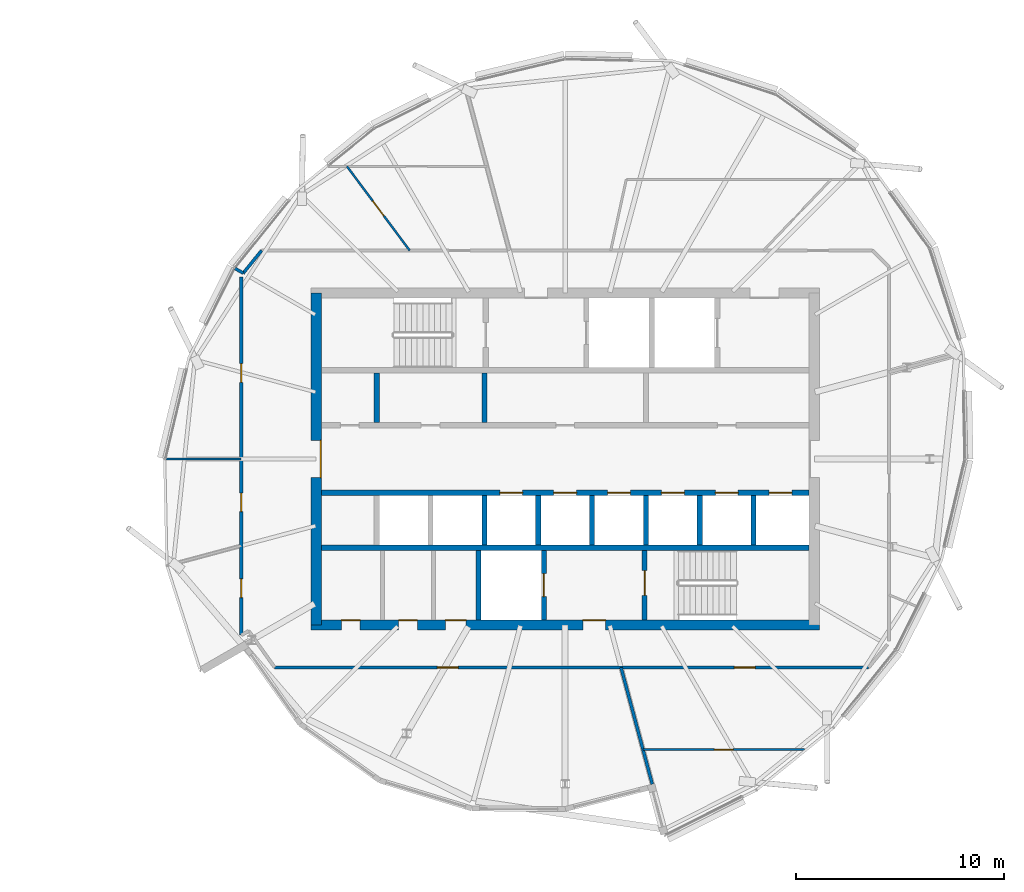
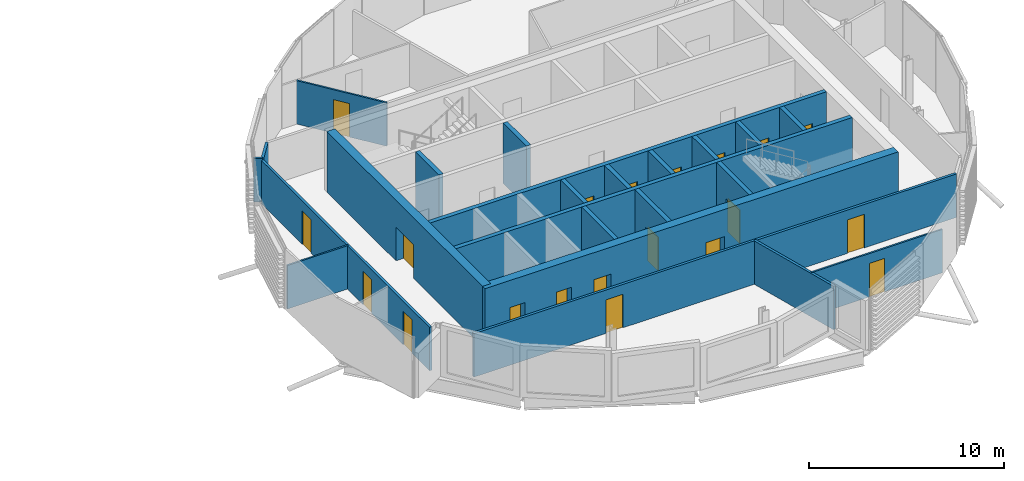
# One storey, part 20 of 33: 23 walls, 20 doors, 20 openings.
"""IFC4 building model written with IfcOpenShell, lengths in metres."""

from ifc_helpers import new_model, si_unit, direction, frame, frame_2d, origin, place, context, subcontext, project, spatial, rectangle, extrude, material, layer, layer_set, type_object, element, fill, save


model = new_model("IFC4")

# Units and contexts
model_context = context("Model", 3, precision=1e-05, world=origin(), true_north=direction((0.0, 1.0)))
body_context = subcontext(model_context, "Body", "Model", "MODEL_VIEW")
ifc_project = project(units=[si_unit("LENGTHUNIT", "METRE"), si_unit("AREAUNIT", "SQUARE_METRE"), si_unit("VOLUMEUNIT", "CUBIC_METRE"), si_unit("PLANEANGLEUNIT", "RADIAN"), si_unit("MASSUNIT", "GRAM", prefix="KILO")], contexts=[model_context])

# Site, building, storey
site_placement = place(None, origin())
site = spatial("IfcSite", under=ifc_project, at=site_placement, CompositionType="ELEMENT")
building_placement = place(site_placement, origin())
building = spatial("IfcBuilding", under=site, at=building_placement, Name="Rimbun Link Towers", CompositionType="ELEMENT")
storey_placement = place(building_placement, frame((0.0, 0.0, 240.89990234375)))
storey = spatial("IfcBuildingStorey", under=building, at=storey_placement, Name="L59", CompositionType="ELEMENT", Elevation=240.89990234375)

# Wall, openings, doors
ifc_material_1 = material(Name="Concrete C60/75", Category="concrete")
ifc_layer_1 = layer(ifc_material_1, 0.5)
ifc_layer_set_1 = layer_set([ifc_layer_1], Name="Core shear wall 500")
wall_type_1 = type_object("IfcWallType", Name="Core shear wall 500", PredefinedType="SHEAR", material=ifc_layer_set_1)
wall_1_placement = place(storey_placement, frame((19.5, -8.0, 0.0), z_axis=(0.0, 0.0, 1.0), x_axis=(1.0, 0.0, 0.0)))
wall_1 = element("IfcWall", 1, at=wall_1_placement, inside=storey, type_object=wall_type_1, Name="L59 T2 core wall S", PredefinedType="SHEAR", context=body_context, shape_type="SweptSolid", body=[
    extrude(rectangle(XDim=24.5, YDim=0.5, at=frame_2d((12.25, 0.0))), origin(), (0.0, 0.0, 1.0), 3.800048828125),
])
opening_1_placement = place(wall_1_placement, frame((13.10009765625, 0.0, 0.0)))
opening_1 = element("IfcOpeningElement", 2, at=opening_1_placement, cuts=wall_1, Name="Opening C2DCF01S", PredefinedType="OPENING", context=body_context, shape_type="SweptSolid", body=[
    extrude(rectangle(XDim=1.10009765625, YDim=2.10009765625, at=frame_2d((0.550048828125, 1.050048828125))), frame((0.0, 0.260009765625, 0.0), z_axis=(0.0, -1.0, 0.0), x_axis=(1.0, 0.0, 0.0)), (0.0, 0.0, 1.0), 0.52001953125),
])
opening_2_placement = place(wall_1_placement, frame((1.47509765625, 0.0, 0.0)))
opening_2 = element("IfcOpeningElement", 3, at=opening_2_placement, cuts=wall_1, Name="Opening C2DWC02S", PredefinedType="OPENING", context=body_context, shape_type="SweptSolid", body=[
    extrude(rectangle(XDim=0.89990234375, YDim=2.10009765625, at=frame_2d((0.449951171875, 1.050048828125))), frame((0.0, 0.260009765625, 0.0), z_axis=(0.0, -1.0, 0.0), x_axis=(1.0, 0.0, 0.0)), (0.0, 0.0, 1.0), 0.52001953125),
])
opening_3_placement = place(wall_1_placement, frame((4.22509765625, 0.0, 0.0)))
opening_3 = element("IfcOpeningElement", 4, at=opening_3_placement, cuts=wall_1, Name="Opening C2DWC03S", PredefinedType="OPENING", context=body_context, shape_type="SweptSolid", body=[
    extrude(rectangle(XDim=0.89990234375, YDim=2.10009765625, at=frame_2d((0.449951171875, 1.050048828125))), frame((0.0, 0.260009765625, 0.0), z_axis=(0.0, -1.0, 0.0), x_axis=(1.0, 0.0, 0.0)), (0.0, 0.0, 1.0), 0.52001953125),
])
opening_4_placement = place(wall_1_placement, frame((6.47509765625, 0.0, 0.0)))
opening_4 = element("IfcOpeningElement", 5, at=opening_4_placement, cuts=wall_1, Name="Opening C2DAW04S", PredefinedType="OPENING", context=body_context, shape_type="SweptSolid", body=[
    extrude(rectangle(XDim=1.0, YDim=2.10009765625, at=frame_2d((0.5, 1.050048828125))), frame((0.0, 0.260009765625, 0.0), z_axis=(0.0, -1.0, 0.0), x_axis=(1.0, 0.0, 0.0)), (0.0, 0.0, 1.0), 0.52001953125),
])
ifc_material_2 = material(Name="Timber", Category="wood")
door_type_1 = type_object("IfcDoorType", Name="Accessible WC door", OperationType="SINGLE_SWING_LEFT", PredefinedType="DOOR", material=ifc_material_2)
door_1_placement = place(opening_4_placement, origin())
door_1 = element("IfcDoor", 6, at=door_1_placement, inside=storey, type_object=door_type_1, Name="L59 T2 accessible wc door", OperationType="SINGLE_SWING_RIGHT", OverallHeight=2.10009765625, OverallWidth=1.0, PredefinedType="DOOR", context=body_context, shape_type="SweptSolid", body=[
    extrude(rectangle(XDim=1.0, YDim=2.10009765625, at=frame_2d((0.5, 1.050048828125))), frame((0.0, 0.25, 0.0), z_axis=(0.0, -1.0, 0.0), x_axis=(1.0, 0.0, 0.0)), (0.0, 0.0, 1.0), 0.050048828125),
])
fill(opening_4, door_1)
ifc_material_3 = material(Name="Steel fire door set", Category="steel")
door_type_2 = type_object("IfcDoorType", Name="Core fire door single", OperationType="SINGLE_SWING_LEFT", PredefinedType="DOOR", material=ifc_material_3)
door_2_placement = place(opening_1_placement, origin())
door_2 = element("IfcDoor", 7, at=door_2_placement, inside=storey, type_object=door_type_2, Name="L59 T2 firefighting lobby s door", OperationType="SINGLE_SWING_RIGHT", OverallHeight=2.10009765625, OverallWidth=1.10009765625, PredefinedType="DOOR", context=body_context, shape_type="SweptSolid", body=[
    extrude(rectangle(XDim=1.10009765625, YDim=2.10009765625, at=frame_2d((0.550048828125, 1.050048828125))), frame((0.0, 0.25, 0.0), z_axis=(0.0, -1.0, 0.0), x_axis=(1.0, 0.0, 0.0)), (0.0, 0.0, 1.0), 0.050048828125),
])
fill(opening_1, door_2)
ifc_material_4 = material(Name="Timber", Category="wood")
door_type_3 = type_object("IfcDoorType", Name="WC door", OperationType="SINGLE_SWING_LEFT", PredefinedType="DOOR", material=ifc_material_4)
door_3_placement = place(opening_2_placement, origin())
door_3 = element("IfcDoor", 8, at=door_3_placement, inside=storey, type_object=door_type_3, Name="L59 T2 male wc door", OperationType="SINGLE_SWING_LEFT", OverallHeight=2.10009765625, OverallWidth=0.89990234375, PredefinedType="DOOR", context=body_context, shape_type="SweptSolid", body=[
    extrude(rectangle(XDim=0.89990234375, YDim=2.10009765625, at=frame_2d((0.449951171875, 1.050048828125))), frame((0.0, 0.25, 0.0), z_axis=(0.0, -1.0, 0.0), x_axis=(1.0, 0.0, 0.0)), (0.0, 0.0, 1.0), 0.050048828125),
])
fill(opening_2, door_3)
door_4_placement = place(opening_3_placement, origin())
door_4 = element("IfcDoor", 9, at=door_4_placement, inside=storey, type_object=door_type_3, Name="L59 T2 female wc door", OperationType="SINGLE_SWING_RIGHT", OverallHeight=2.10009765625, OverallWidth=0.89990234375, PredefinedType="DOOR", context=body_context, shape_type="SweptSolid", body=[
    extrude(rectangle(XDim=0.89990234375, YDim=2.10009765625, at=frame_2d((0.449951171875, 1.050048828125))), frame((0.0, 0.25, 0.0), z_axis=(0.0, -1.0, 0.0), x_axis=(1.0, 0.0, 0.0)), (0.0, 0.0, 1.0), 0.050048828125),
])
fill(opening_3, door_4)

# Wall, opening, door
wall_2_placement = place(storey_placement, frame((19.75, -8.0, 0.0), z_axis=(0.0, 0.0, 1.0), x_axis=(0.0, 1.0, 0.0)))
wall_2 = element("IfcWall", 10, at=wall_2_placement, inside=storey, type_object=wall_type_1, Name="L59 T2 core wall W", PredefinedType="SHEAR", context=body_context, shape_type="SweptSolid", body=[
    extrude(rectangle(XDim=16.0, YDim=0.5, at=frame_2d((8.0, 0.0))), origin(), (0.0, 0.0, 1.0), 3.800048828125),
])
opening_5_placement = place(wall_2_placement, frame((7.10009765625, 0.0, 0.0)))
opening_5 = element("IfcOpeningElement", 11, at=opening_5_placement, cuts=wall_2, Name="Opening C2DCL01W", PredefinedType="OPENING", context=body_context, shape_type="SweptSolid", body=[
    extrude(rectangle(XDim=1.800048828125, YDim=2.10009765625, at=frame_2d((0.89990234375, 1.050048828125))), frame((0.0, 0.260009765625, 0.0), z_axis=(0.0, -1.0, 0.0), x_axis=(1.0, 0.0, 0.0)), (0.0, 0.0, 1.0), 0.52001953125),
])
ifc_material_5 = material(Name="Steel fire door set", Category="steel")
door_type_4 = type_object("IfcDoorType", Name="Core lobby door double", OperationType="DOUBLE_DOOR_SINGLE_SWING", PredefinedType="DOOR", material=ifc_material_5)
door_5_placement = place(opening_5_placement, origin())
door_5 = element("IfcDoor", 12, at=door_5_placement, inside=storey, type_object=door_type_4, Name="L59 T2 lift lobby door", OperationType="DOUBLE_DOOR_SINGLE_SWING", OverallHeight=2.10009765625, OverallWidth=1.800048828125, PredefinedType="DOOR", context=body_context, shape_type="SweptSolid", body=[
    extrude(rectangle(XDim=1.800048828125, YDim=2.10009765625, at=frame_2d((0.89990234375, 1.050048828125))), frame((0.0, -0.2001953125, 0.0), z_axis=(0.0, -1.0, 0.0), x_axis=(1.0, 0.0, 0.0)), (0.0, 0.0, 1.0), 0.050048828125),
])
fill(opening_5, door_5)

# Wall, openings, doors
ifc_material_6 = material(Name="Plasterboard on steel stud, mineral wool", Category="steel")
ifc_layer_2 = layer(ifc_material_6, 0.14990234375)
ifc_layer_set_2 = layer_set([ifc_layer_2], Name="Corridor wall EI 30 150 mm")
wall_type_2 = type_object("IfcWallType", Name="Corridor wall EI 30 150 mm", PredefinedType="PARTITIONING", material=ifc_layer_set_2)
wall_3_placement = place(storey_placement, frame((46.37353515625, -10.044921875, 0.0), z_axis=(0.0, 0.0, 1.0), x_axis=(-1.0, 0.0, 0.0)))
wall_3 = element("IfcWall", 13, at=wall_3_placement, inside=storey, type_object=wall_type_2, Name="Corridor wall EI 30 150 mm", PredefinedType="PARTITIONING", context=body_context, shape_type="SweptSolid", body=[
    extrude(rectangle(XDim=28.615966796875, YDim=0.14990234375, at=frame_2d((14.30810546875, 0.0))), origin(), (0.0, 0.0, 1.0), 2.72216796875),
])
opening_6_placement = place(wall_3_placement, frame((5.466064453125, 0.0, 0.0)))
opening_6 = element("IfcOpeningElement", 14, at=opening_6_placement, cuts=wall_3, Name="Opening D01", PredefinedType="OPENING", context=body_context, shape_type="SweptSolid", body=[
    extrude(rectangle(XDim=1.0, YDim=2.10009765625, at=frame_2d((0.5, 1.050048828125))), frame((0.0, 0.0849609375, 0.0), z_axis=(0.0, -1.0, 0.0), x_axis=(1.0, 0.0, 0.0)), (0.0, 0.0, 1.0), 0.169921875),
])
opening_7_placement = place(wall_3_placement, frame((19.77392578125, 0.0, 0.0)))
opening_7 = element("IfcOpeningElement", 15, at=opening_7_placement, cuts=wall_3, Name="Opening D01", PredefinedType="OPENING", context=body_context, shape_type="SweptSolid", body=[
    extrude(rectangle(XDim=1.0, YDim=2.10009765625, at=frame_2d((0.5, 1.050048828125))), frame((0.0, 0.0849609375, 0.0), z_axis=(0.0, -1.0, 0.0), x_axis=(1.0, 0.0, 0.0)), (0.0, 0.0, 1.0), 0.169921875),
])
ifc_material_7 = material(Name="Fire-resisting timber door leaf", Category="wood")
door_type_5 = type_object("IfcDoorType", Name="Fire door FD30S 1000", OperationType="NOTDEFINED", PredefinedType="DOOR", material=ifc_material_7)
door_6_placement = place(opening_6_placement, origin())
door_6 = element("IfcDoor", 16, at=door_6_placement, inside=storey, type_object=door_type_5, Name="Fire door FD30S 1000 to Reception", OperationType="SINGLE_SWING_LEFT", OverallHeight=2.10009765625, OverallWidth=1.0, PredefinedType="DOOR", context=body_context, shape_type="SweptSolid", body=[
    extrude(rectangle(XDim=1.0, YDim=2.10009765625, at=frame_2d((0.5, 1.050048828125))), frame((0.0, 0.02490234375, 0.0), z_axis=(0.0, -1.0, 0.0), x_axis=(1.0, 0.0, 0.0)), (0.0, 0.0, 1.0), 0.050048828125),
])
fill(opening_6, door_6)
door_7_placement = place(opening_7_placement, origin())
door_7 = element("IfcDoor", 17, at=door_7_placement, inside=storey, type_object=door_type_5, Name="Fire door FD30S 1000 to Terrace office", OperationType="SINGLE_SWING_LEFT", OverallHeight=2.10009765625, OverallWidth=1.0, PredefinedType="DOOR", context=body_context, shape_type="SweptSolid", body=[
    extrude(rectangle(XDim=1.0, YDim=2.10009765625, at=frame_2d((0.5, 1.050048828125))), frame((0.0, 0.02490234375, 0.0), z_axis=(0.0, -1.0, 0.0), x_axis=(1.0, 0.0, 0.0)), (0.0, 0.0, 1.0), 0.050048828125),
])
fill(opening_7, door_7)

wall_4_placement = place(storey_placement, frame((16.14501953125, -8.489990234375, 0.0), z_axis=(0.0, 0.0, 1.0), x_axis=(0.0, 1.0, 0.0)))
wall_4 = element("IfcWall", 18, at=wall_4_placement, inside=storey, type_object=wall_type_2, Name="Corridor wall EI 30 150 mm", PredefinedType="PARTITIONING", context=body_context, shape_type="SweptSolid", body=[
    extrude(rectangle(XDim=17.259521484375, YDim=0.14990234375, at=frame_2d((8.6298828125, 0.0))), origin(), (0.0, 0.0, 1.0), 2.72216796875),
])
opening_8_placement = place(wall_4_placement, frame((12.179931640625, 0.0, 0.0)))
opening_8 = element("IfcOpeningElement", 19, at=opening_8_placement, cuts=wall_4, Name="Opening D02", PredefinedType="OPENING", context=body_context, shape_type="SweptSolid", body=[
    extrude(rectangle(XDim=0.89990234375, YDim=2.10009765625, at=frame_2d((0.449951171875, 1.050048828125))), frame((0.0, 0.0849609375, 0.0), z_axis=(0.0, -1.0, 0.0), x_axis=(1.0, 0.0, 0.0)), (0.0, 0.0, 1.0), 0.169921875),
])
opening_9_placement = place(wall_4_placement, frame((5.94921875, 0.0, 0.0)))
opening_9 = element("IfcOpeningElement", 20, at=opening_9_placement, cuts=wall_4, Name="Opening D02", PredefinedType="OPENING", context=body_context, shape_type="SweptSolid", body=[
    extrude(rectangle(XDim=0.89990234375, YDim=2.10009765625, at=frame_2d((0.449951171875, 1.050048828125))), frame((0.0, 0.0849609375, 0.0), z_axis=(0.0, -1.0, 0.0), x_axis=(1.0, 0.0, 0.0)), (0.0, 0.0, 1.0), 0.169921875),
])
opening_10_placement = place(wall_4_placement, frame((1.80908203125, 0.0, 0.0)))
opening_10 = element("IfcOpeningElement", 21, at=opening_10_placement, cuts=wall_4, Name="Opening D02", PredefinedType="OPENING", context=body_context, shape_type="SweptSolid", body=[
    extrude(rectangle(XDim=0.89990234375, YDim=2.10009765625, at=frame_2d((0.449951171875, 1.050048828125))), frame((0.0, 0.0849609375, 0.0), z_axis=(0.0, -1.0, 0.0), x_axis=(1.0, 0.0, 0.0)), (0.0, 0.0, 1.0), 0.169921875),
])
ifc_material_8 = material(Name="Fire-resisting timber door leaf", Category="wood")
door_type_6 = type_object("IfcDoorType", Name="Fire door FD30S 900", OperationType="NOTDEFINED", PredefinedType="DOOR", material=ifc_material_8)
door_8_placement = place(opening_8_placement, origin())
door_8 = element("IfcDoor", 22, at=door_8_placement, inside=storey, type_object=door_type_6, Name="Fire door FD30S 900 to Meeting room", OperationType="SINGLE_SWING_RIGHT", OverallHeight=2.10009765625, OverallWidth=0.89990234375, PredefinedType="DOOR", context=body_context, shape_type="SweptSolid", body=[
    extrude(rectangle(XDim=0.89990234375, YDim=2.10009765625, at=frame_2d((0.449951171875, 1.050048828125))), frame((0.0, 0.02490234375, 0.0), z_axis=(0.0, -1.0, 0.0), x_axis=(1.0, 0.0, 0.0)), (0.0, 0.0, 1.0), 0.050048828125),
])
fill(opening_8, door_8)
door_9_placement = place(opening_9_placement, origin())
door_9 = element("IfcDoor", 23, at=door_9_placement, inside=storey, type_object=door_type_6, Name="Fire door FD30S 900 to Executive office", OperationType="SINGLE_SWING_LEFT", OverallHeight=2.10009765625, OverallWidth=0.89990234375, PredefinedType="DOOR", context=body_context, shape_type="SweptSolid", body=[
    extrude(rectangle(XDim=0.89990234375, YDim=2.10009765625, at=frame_2d((0.449951171875, 1.050048828125))), frame((0.0, 0.02490234375, 0.0), z_axis=(0.0, -1.0, 0.0), x_axis=(1.0, 0.0, 0.0)), (0.0, 0.0, 1.0), 0.050048828125),
])
fill(opening_9, door_9)
door_10_placement = place(opening_10_placement, origin())
door_10 = element("IfcDoor", 24, at=door_10_placement, inside=storey, type_object=door_type_6, Name="Fire door FD30S 900 to Open office", OperationType="SINGLE_SWING_RIGHT", OverallHeight=2.10009765625, OverallWidth=0.89990234375, PredefinedType="DOOR", context=body_context, shape_type="SweptSolid", body=[
    extrude(rectangle(XDim=0.89990234375, YDim=2.10009765625, at=frame_2d((0.449951171875, 1.050048828125))), frame((0.0, 0.02490234375, 0.0), z_axis=(0.0, -1.0, 0.0), x_axis=(1.0, 0.0, 0.0)), (0.0, 0.0, 1.0), 0.050048828125),
])
fill(opening_10, door_10)

# Wall
wall_5_placement = place(storey_placement, frame((17.12646484375, 10.044921875, 0.0), z_axis=(0.0, 0.0, 1.0), x_axis=(-0.629149019121, -0.777284704428, 0.0)))
element("IfcWall", 25, at=wall_5_placement, inside=storey, type_object=wall_type_2, Name="Corridor wall EI 30 150 mm", PredefinedType="PARTITIONING", context=body_context, shape_type="SweptSolid", body=[
    extrude(rectangle(XDim=1.42724609375, YDim=0.14990234375, at=frame_2d((0.713623046875, 0.0))), origin(), (0.0, 0.0, 1.0), 2.72216796875),
])

# Wall, opening, door
ifc_material_9 = material(Name="Plasterboard on steel stud", Category="steel")
ifc_layer_3 = layer(ifc_material_9, 0.10009765625)
ifc_layer_set_3 = layer_set([ifc_layer_3], Name="Plasterboard partition 100 mm")
wall_type_3 = type_object("IfcWallType", Name="Plasterboard partition 100 mm", PredefinedType="PARTITIONING", material=ifc_layer_set_3)
wall_6_placement = place(storey_placement, frame((43.2744140625, -14.0048828125, 0.0), z_axis=(0.0, 0.0, 1.0), x_axis=(-1.0, 0.0, 0.0)))
wall_6 = element("IfcWall", 26, at=wall_6_placement, inside=storey, type_object=wall_type_3, Name="Plasterboard partition 100 mm", PredefinedType="PARTITIONING", context=body_context, shape_type="SweptSolid", body=[
    extrude(rectangle(XDim=7.771728515625, YDim=0.10009765625, at=frame_2d((3.8857421875, 0.0))), origin(), (0.0, 0.0, 1.0), 2.72216796875),
])
opening_11_placement = place(wall_6_placement, frame((3.435791015625, 0.0, 0.0)))
opening_11 = element("IfcOpeningElement", 27, at=opening_11_placement, cuts=wall_6, Name="Opening D04", PredefinedType="OPENING", context=body_context, shape_type="SweptSolid", body=[
    extrude(rectangle(XDim=0.89990234375, YDim=2.10009765625, at=frame_2d((0.449951171875, 1.050048828125))), frame((0.0, 0.06005859375, 0.0), z_axis=(0.0, -1.0, 0.0), x_axis=(1.0, 0.0, 0.0)), (0.0, 0.0, 1.0), 0.1201171875),
])
ifc_material_10 = material(Name="Timber door leaf", Category="wood")
door_type_7 = type_object("IfcDoorType", Name="Flush door 900", OperationType="NOTDEFINED", PredefinedType="DOOR", material=ifc_material_10)
door_11_placement = place(opening_11_placement, origin())
door_11 = element("IfcDoor", 28, at=door_11_placement, inside=storey, type_object=door_type_7, Name="Flush door 900 to Executive office", OperationType="SINGLE_SWING_RIGHT", OverallHeight=2.10009765625, OverallWidth=0.89990234375, PredefinedType="DOOR", context=body_context, shape_type="SweptSolid", body=[
    extrude(rectangle(XDim=0.89990234375, YDim=2.10009765625, at=frame_2d((0.449951171875, 1.050048828125))), frame((0.0, 0.02490234375, 0.0), z_axis=(0.0, -1.0, 0.0), x_axis=(1.0, 0.0, 0.0)), (0.0, 0.0, 1.0), 0.050048828125),
])
fill(opening_11, door_11)

wall_7_placement = place(storey_placement, frame((24.259765625, 10.044921875, 0.0), z_axis=(0.0, 0.0, 1.0), x_axis=(-0.59774755596, 0.801684388861, 0.0)))
wall_7 = element("IfcWall", 29, at=wall_7_placement, inside=storey, type_object=wall_type_3, Name="Plasterboard partition 100 mm", PredefinedType="PARTITIONING", context=body_context, shape_type="SweptSolid", body=[
    extrude(rectangle(XDim=5.052001953125, YDim=0.10009765625, at=frame_2d((2.52587890625, 0.0))), origin(), (0.0, 0.0, 1.0), 2.72216796875),
])
opening_12_placement = place(wall_7_placement, frame((2.075927734375, 0.0, 0.0)))
opening_12 = element("IfcOpeningElement", 30, at=opening_12_placement, cuts=wall_7, Name="Opening D04", PredefinedType="OPENING", context=body_context, shape_type="SweptSolid", body=[
    extrude(rectangle(XDim=0.89990234375, YDim=2.10009765625, at=frame_2d((0.449951171875, 1.050048828125))), frame((0.0, 0.06005859375, 0.0), z_axis=(0.0, -1.0, 0.0), x_axis=(1.0, 0.0, 0.0)), (0.0, 0.0, 1.0), 0.1201171875),
])
door_12_placement = place(opening_12_placement, origin())
door_12 = element("IfcDoor", 31, at=door_12_placement, inside=storey, type_object=door_type_7, Name="Flush door 900 to Pantry", OperationType="SINGLE_SWING_LEFT", OverallHeight=2.10009765625, OverallWidth=0.89990234375, PredefinedType="DOOR", context=body_context, shape_type="SweptSolid", body=[
    extrude(rectangle(XDim=0.89990234375, YDim=2.10009765625, at=frame_2d((0.449951171875, 1.050048828125))), frame((0.0, 0.02490234375, 0.0), z_axis=(0.0, -1.0, 0.0), x_axis=(1.0, 0.0, 0.0)), (0.0, 0.0, 1.0), 0.050048828125),
])
fill(opening_12, door_12)

# Walls
wall_8_placement = place(storey_placement, frame((12.51171875, 0.0, 0.0), z_axis=(0.0, 0.0, 1.0), x_axis=(1.0, 0.0, 0.0)))
element("IfcWall", 32, at=wall_8_placement, inside=storey, type_object=wall_type_3, Name="Plasterboard partition 100 mm", PredefinedType="PARTITIONING", context=body_context, shape_type="SweptSolid", body=[
    extrude(rectangle(XDim=3.63330078125, YDim=0.10009765625, at=frame_2d((1.816650390625, 0.0))), origin(), (0.0, 0.0, 1.0), 2.72216796875),
])
ifc_material_11 = material(Name="Concrete C60/75", Category="concrete")
ifc_layer_4 = layer(ifc_material_11, 0.25)
ifc_layer_set_4 = layer_set([ifc_layer_4], Name="Shaft wall 250")
wall_type_4 = type_object("IfcWallType", Name="Shaft wall 250", PredefinedType="SHEAR", material=ifc_layer_set_4)
wall_9_placement = place(storey_placement, frame((20.0, -4.27490234375, 0.0), z_axis=(0.0, 0.0, 1.0), x_axis=(1.0, 0.0, 0.0)))
element("IfcWall", 33, at=wall_9_placement, inside=storey, type_object=wall_type_4, Name="L59 T2 core wall BS", PredefinedType="SHEAR", context=body_context, shape_type="SweptSolid", body=[
    extrude(rectangle(XDim=23.5, YDim=0.25, at=frame_2d((11.75, 0.0))), origin(), (0.0, 0.0, 1.0), 3.800048828125),
])

# Wall, openings, doors
wall_10_placement = place(storey_placement, frame((20.0, -1.625, 0.0), z_axis=(0.0, 0.0, 1.0), x_axis=(1.0, 0.0, 0.0)))
wall_10 = element("IfcWall", 34, at=wall_10_placement, inside=storey, type_object=wall_type_4, Name="L59 T2 core wall FS", PredefinedType="SHEAR", context=body_context, shape_type="SweptSolid", body=[
    extrude(rectangle(XDim=23.5, YDim=0.25, at=frame_2d((11.75, 0.0))), origin(), (0.0, 0.0, 1.0), 3.800048828125),
])
opening_13_placement = place(wall_10_placement, frame((8.605712890625, 0.0, 0.0)))
opening_13 = element("IfcOpeningElement", 35, at=opening_13_placement, cuts=wall_10, Name="Opening LD-T2-HR1", PredefinedType="OPENING", context=body_context, shape_type="SweptSolid", body=[
    extrude(rectangle(XDim=1.10009765625, YDim=2.10009765625, at=frame_2d((0.550048828125, 1.050048828125))), frame((0.0, 0.135009765625, 0.0), z_axis=(0.0, -1.0, 0.0), x_axis=(1.0, 0.0, 0.0)), (0.0, 0.0, 1.0), 0.27001953125),
])
opening_14_placement = place(wall_10_placement, frame((11.199951171875, 0.0, 0.0)))
opening_14 = element("IfcOpeningElement", 36, at=opening_14_placement, cuts=wall_10, Name="Opening LD-T2-HR2", PredefinedType="OPENING", context=body_context, shape_type="SweptSolid", body=[
    extrude(rectangle(XDim=1.10009765625, YDim=2.10009765625, at=frame_2d((0.550048828125, 1.050048828125))), frame((0.0, 0.135009765625, 0.0), z_axis=(0.0, -1.0, 0.0), x_axis=(1.0, 0.0, 0.0)), (0.0, 0.0, 1.0), 0.27001953125),
])
opening_15_placement = place(wall_10_placement, frame((13.79443359375, 0.0, 0.0)))
opening_15 = element("IfcOpeningElement", 37, at=opening_15_placement, cuts=wall_10, Name="Opening LD-T2-HR3", PredefinedType="OPENING", context=body_context, shape_type="SweptSolid", body=[
    extrude(rectangle(XDim=1.10009765625, YDim=2.10009765625, at=frame_2d((0.550048828125, 1.050048828125))), frame((0.0, 0.135009765625, 0.0), z_axis=(0.0, -1.0, 0.0), x_axis=(1.0, 0.0, 0.0)), (0.0, 0.0, 1.0), 0.27001953125),
])
opening_16_placement = place(wall_10_placement, frame((16.388916015625, 0.0, 0.0)))
opening_16 = element("IfcOpeningElement", 38, at=opening_16_placement, cuts=wall_10, Name="Opening LD-T2-HR4", PredefinedType="OPENING", context=body_context, shape_type="SweptSolid", body=[
    extrude(rectangle(XDim=1.10009765625, YDim=2.10009765625, at=frame_2d((0.550048828125, 1.050048828125))), frame((0.0, 0.135009765625, 0.0), z_axis=(0.0, -1.0, 0.0), x_axis=(1.0, 0.0, 0.0)), (0.0, 0.0, 1.0), 0.27001953125),
])
opening_17_placement = place(wall_10_placement, frame((18.9833984375, 0.0, 0.0)))
opening_17 = element("IfcOpeningElement", 39, at=opening_17_placement, cuts=wall_10, Name="Opening LD-T2-HR5", PredefinedType="OPENING", context=body_context, shape_type="SweptSolid", body=[
    extrude(rectangle(XDim=1.10009765625, YDim=2.10009765625, at=frame_2d((0.550048828125, 1.050048828125))), frame((0.0, 0.135009765625, 0.0), z_axis=(0.0, -1.0, 0.0), x_axis=(1.0, 0.0, 0.0)), (0.0, 0.0, 1.0), 0.27001953125),
])
opening_18_placement = place(wall_10_placement, frame((21.577880859375, 0.0, 0.0)))
opening_18 = element("IfcOpeningElement", 40, at=opening_18_placement, cuts=wall_10, Name="Opening LD-T2-HR6", PredefinedType="OPENING", context=body_context, shape_type="SweptSolid", body=[
    extrude(rectangle(XDim=1.10009765625, YDim=2.10009765625, at=frame_2d((0.550048828125, 1.050048828125))), frame((0.0, 0.135009765625, 0.0), z_axis=(0.0, -1.0, 0.0), x_axis=(1.0, 0.0, 0.0)), (0.0, 0.0, 1.0), 0.27001953125),
])
ifc_material_12 = material(Name="Stainless steel grade 316", Category="steel")
door_type_8 = type_object("IfcDoorType", Name="Lift landing door", OperationType="DOUBLE_DOOR_SLIDING", PredefinedType="DOOR", material=ifc_material_12)
door_13_placement = place(opening_13_placement, origin())
door_13 = element("IfcDoor", 41, at=door_13_placement, inside=storey, type_object=door_type_8, Name="L59 T2 lift HR1 landing door", OperationType="DOUBLE_DOOR_SLIDING", OverallHeight=2.10009765625, OverallWidth=1.10009765625, PredefinedType="DOOR", context=body_context, shape_type="SweptSolid", body=[
    extrude(rectangle(XDim=1.10009765625, YDim=2.10009765625, at=frame_2d((0.550048828125, 1.050048828125))), frame((0.0, 0.02490234375, 0.0), z_axis=(0.0, -1.0, 0.0), x_axis=(1.0, 0.0, 0.0)), (0.0, 0.0, 1.0), 0.050048828125),
])
fill(opening_13, door_13)
door_14_placement = place(opening_14_placement, origin())
door_14 = element("IfcDoor", 42, at=door_14_placement, inside=storey, type_object=door_type_8, Name="L59 T2 lift HR2 landing door", OperationType="DOUBLE_DOOR_SLIDING", OverallHeight=2.10009765625, OverallWidth=1.10009765625, PredefinedType="DOOR", context=body_context, shape_type="SweptSolid", body=[
    extrude(rectangle(XDim=1.10009765625, YDim=2.10009765625, at=frame_2d((0.550048828125, 1.050048828125))), frame((0.0, 0.02490234375, 0.0), z_axis=(0.0, -1.0, 0.0), x_axis=(1.0, 0.0, 0.0)), (0.0, 0.0, 1.0), 0.050048828125),
])
fill(opening_14, door_14)
door_15_placement = place(opening_15_placement, origin())
door_15 = element("IfcDoor", 43, at=door_15_placement, inside=storey, type_object=door_type_8, Name="L59 T2 lift HR3 landing door", OperationType="DOUBLE_DOOR_SLIDING", OverallHeight=2.10009765625, OverallWidth=1.10009765625, PredefinedType="DOOR", context=body_context, shape_type="SweptSolid", body=[
    extrude(rectangle(XDim=1.10009765625, YDim=2.10009765625, at=frame_2d((0.550048828125, 1.050048828125))), frame((0.0, 0.02490234375, 0.0), z_axis=(0.0, -1.0, 0.0), x_axis=(1.0, 0.0, 0.0)), (0.0, 0.0, 1.0), 0.050048828125),
])
fill(opening_15, door_15)
door_16_placement = place(opening_16_placement, origin())
door_16 = element("IfcDoor", 44, at=door_16_placement, inside=storey, type_object=door_type_8, Name="L59 T2 lift HR4 landing door", OperationType="DOUBLE_DOOR_SLIDING", OverallHeight=2.10009765625, OverallWidth=1.10009765625, PredefinedType="DOOR", context=body_context, shape_type="SweptSolid", body=[
    extrude(rectangle(XDim=1.10009765625, YDim=2.10009765625, at=frame_2d((0.550048828125, 1.050048828125))), frame((0.0, 0.02490234375, 0.0), z_axis=(0.0, -1.0, 0.0), x_axis=(1.0, 0.0, 0.0)), (0.0, 0.0, 1.0), 0.050048828125),
])
fill(opening_16, door_16)
door_17_placement = place(opening_17_placement, origin())
door_17 = element("IfcDoor", 45, at=door_17_placement, inside=storey, type_object=door_type_8, Name="L59 T2 lift HR5 landing door", OperationType="DOUBLE_DOOR_SLIDING", OverallHeight=2.10009765625, OverallWidth=1.10009765625, PredefinedType="DOOR", context=body_context, shape_type="SweptSolid", body=[
    extrude(rectangle(XDim=1.10009765625, YDim=2.10009765625, at=frame_2d((0.550048828125, 1.050048828125))), frame((0.0, 0.02490234375, 0.0), z_axis=(0.0, -1.0, 0.0), x_axis=(1.0, 0.0, 0.0)), (0.0, 0.0, 1.0), 0.050048828125),
])
fill(opening_17, door_17)
door_18_placement = place(opening_18_placement, origin())
door_18 = element("IfcDoor", 46, at=door_18_placement, inside=storey, type_object=door_type_8, Name="L59 T2 lift HR6 landing door", OperationType="DOUBLE_DOOR_SLIDING", OverallHeight=2.10009765625, OverallWidth=1.10009765625, PredefinedType="DOOR", context=body_context, shape_type="SweptSolid", body=[
    extrude(rectangle(XDim=1.10009765625, YDim=2.10009765625, at=frame_2d((0.550048828125, 1.050048828125))), frame((0.0, 0.02490234375, 0.0), z_axis=(0.0, -1.0, 0.0), x_axis=(1.0, 0.0, 0.0)), (0.0, 0.0, 1.0), 0.050048828125),
])
fill(opening_18, door_18)

# Walls
for number, where, z_axis, x_axis, name in (
    (47, (22.66943359375, 1.75, 0.0), (0.0, 0.0, 1.0), (0.0, 1.0, 0.0), "L59 T2 core wall DN0"),
    (48, (27.8583984375, 1.75, 0.0), (0.0, 0.0, 1.0), (0.0, 1.0, 0.0), "L59 T2 core wall DN2"),
    (49, (27.8583984375, -4.14990234375, 0.0), (0.0, 0.0, 1.0), (0.0, 1.0, 0.0), "L59 T2 core wall DS2"),
    (50, (30.452880859375, -4.14990234375, 0.0), (0.0, 0.0, 1.0), (0.0, 1.0, 0.0), "L59 T2 core wall DS3"),
    (51, (33.047119140625, -4.14990234375, 0.0), (0.0, 0.0, 1.0), (0.0, 1.0, 0.0), "L59 T2 core wall DS4"),
    (52, (35.6416015625, -4.14990234375, 0.0), (0.0, 0.0, 1.0), (0.0, 1.0, 0.0), "L59 T2 core wall DS5"),
    (53, (38.236083984375, -4.14990234375, 0.0), (0.0, 0.0, 1.0), (0.0, 1.0, 0.0), "L59 T2 core wall DS6"),
    (54, (40.83056640625, -4.14990234375, 0.0), (0.0, 0.0, 1.0), (0.0, 1.0, 0.0), "L59 T2 core wall DS7"),
):
    element("IfcWall", number, at=place(storey_placement, frame(where, z_axis=z_axis, x_axis=x_axis)), inside=storey, type_object=wall_type_4, Name=name, PredefinedType="SHEAR", context=body_context, shape_type="SweptSolid", body=[
        extrude(rectangle(XDim=2.39990234375, YDim=0.25, at=frame_2d((1.199951171875, 0.0))), origin(), (0.0, 0.0, 1.0), 3.800048828125),
    ])

# Wall, opening, door
wall_11_placement = place(storey_placement, frame((35.574951171875, -4.39990234375, 0.0), z_axis=(0.0, 0.0, 1.0), x_axis=(0.0, -1.0, 0.0)))
wall_11 = element("IfcWall", 55, at=wall_11_placement, inside=storey, type_object=wall_type_4, Name="L59 T2 core wall B1", PredefinedType="SHEAR", context=body_context, shape_type="SweptSolid", body=[
    extrude(rectangle(XDim=3.35009765625, YDim=0.25, at=frame_2d((1.675048828125, 0.0))), origin(), (0.0, 0.0, 1.0), 3.800048828125),
])
opening_19_placement = place(wall_11_placement, frame((0.97509765625, 0.0, 0.0)))
opening_19 = element("IfcOpeningElement", 56, at=opening_19_placement, cuts=wall_11, Name="Opening C2DST01B1", PredefinedType="OPENING", context=body_context, shape_type="SweptSolid", body=[
    extrude(rectangle(XDim=1.199951171875, YDim=2.10009765625, at=frame_2d((0.60009765625, 1.050048828125))), frame((0.0, 0.135009765625, 0.0), z_axis=(0.0, -1.0, 0.0), x_axis=(1.0, 0.0, 0.0)), (0.0, 0.0, 1.0), 0.27001953125),
])
ifc_material_13 = material(Name="Steel fire door set", Category="steel")
door_type_9 = type_object("IfcDoorType", Name="Stair door", OperationType="SINGLE_SWING_LEFT", PredefinedType="DOOR", material=ifc_material_13)
door_19_placement = place(opening_19_placement, origin())
door_19 = element("IfcDoor", 57, at=door_19_placement, inside=storey, type_object=door_type_9, Name="L59 T2 stair b door", OperationType="SINGLE_SWING_RIGHT", OverallHeight=2.10009765625, OverallWidth=1.199951171875, PredefinedType="DOOR", context=body_context, shape_type="SweptSolid", body=[
    extrude(rectangle(XDim=1.199951171875, YDim=2.10009765625, at=frame_2d((0.60009765625, 1.050048828125))), frame((0.0, 0.02490234375, 0.0), z_axis=(0.0, -1.0, 0.0), x_axis=(1.0, 0.0, 0.0)), (0.0, 0.0, 1.0), 0.050048828125),
])
fill(opening_19, door_19)

wall_12_placement = place(storey_placement, frame((30.72509765625, -4.39990234375, 0.0), z_axis=(0.0, 0.0, 1.0), x_axis=(0.0, -1.0, 0.0)))
wall_12 = element("IfcWall", 58, at=wall_12_placement, inside=storey, type_object=wall_type_4, Name="L59 T2 core wall B2", PredefinedType="SHEAR", context=body_context, shape_type="SweptSolid", body=[
    extrude(rectangle(XDim=3.35009765625, YDim=0.25, at=frame_2d((1.675048828125, 0.0))), origin(), (0.0, 0.0, 1.0), 3.800048828125),
])
opening_20_placement = place(wall_12_placement, frame((1.125, 0.0, 0.0)))
opening_20 = element("IfcOpeningElement", 59, at=opening_20_placement, cuts=wall_12, Name="Opening LD-T2-FF2", PredefinedType="OPENING", context=body_context, shape_type="SweptSolid", body=[
    extrude(rectangle(XDim=1.10009765625, YDim=2.10009765625, at=frame_2d((0.550048828125, 1.050048828125))), frame((0.0, 0.135009765625, 0.0), z_axis=(0.0, -1.0, 0.0), x_axis=(1.0, 0.0, 0.0)), (0.0, 0.0, 1.0), 0.27001953125),
])
door_20_placement = place(opening_20_placement, origin())
door_20 = element("IfcDoor", 60, at=door_20_placement, inside=storey, type_object=door_type_8, Name="L59 T2 lift FF2 landing door", OperationType="DOUBLE_DOOR_SLIDING", OverallHeight=2.10009765625, OverallWidth=1.10009765625, PredefinedType="DOOR", context=body_context, shape_type="SweptSolid", body=[
    extrude(rectangle(XDim=1.10009765625, YDim=2.10009765625, at=frame_2d((0.550048828125, 1.050048828125))), frame((0.0, 0.02490234375, 0.0), z_axis=(0.0, -1.0, 0.0), x_axis=(1.0, 0.0, 0.0)), (0.0, 0.0, 1.0), 0.050048828125),
])
fill(opening_20, door_20)

# Walls
wall_13_placement = place(storey_placement, frame((27.574951171875, -4.39990234375, 0.0), z_axis=(0.0, 0.0, 1.0), x_axis=(0.0, -1.0, 0.0)))
element("IfcWall", 61, at=wall_13_placement, inside=storey, type_object=wall_type_4, Name="L59 T2 core wall B3", PredefinedType="SHEAR", context=body_context, shape_type="SweptSolid", body=[
    extrude(rectangle(XDim=3.35009765625, YDim=0.25, at=frame_2d((1.675048828125, 0.0))), origin(), (0.0, 0.0, 1.0), 3.800048828125),
])
ifc_material_14 = material(Name="Plasterboard on steel stud, mineral wool", Category="steel")
ifc_layer_5 = layer(ifc_material_14, 0.14990234375)
ifc_layer_set_5 = layer_set([ifc_layer_5], Name="Tenancy separation wall EI 60 150 mm")
wall_type_5 = type_object("IfcWallType", Name="Tenancy separation wall EI 60 150 mm", PredefinedType="PARTITIONING", material=ifc_layer_set_5)
wall_14_placement = place(storey_placement, frame((16.24267578125, 8.953125, 0.0), z_axis=(0.0, 0.0, 1.0), x_axis=(-0.8660249478, 0.500000789788, 0.0)))
element("IfcWall", 62, at=wall_14_placement, inside=storey, type_object=wall_type_5, Name="Tenancy separation wall EI 60 150 mm", PredefinedType="PARTITIONING", context=body_context, shape_type="SweptSolid", body=[
    extrude(rectangle(XDim=0.45556640625, YDim=0.14990234375, at=frame_2d((0.227783203125, 0.0))), origin(), (0.0, 0.0, 1.0), 2.72216796875),
])
wall_15_placement = place(storey_placement, frame((34.44140625, -10.044921875, 0.0), z_axis=(0.0, 0.0, 1.0), x_axis=(0.258861231305, -0.965914521543, 0.0)))
element("IfcWall", 63, at=wall_15_placement, inside=storey, type_object=wall_type_5, Name="Tenancy separation wall EI 60 150 mm", PredefinedType="PARTITIONING", context=body_context, shape_type="SweptSolid", body=[
    extrude(rectangle(XDim=5.818115234375, YDim=0.14990234375, at=frame_2d((2.9091796875, 0.0))), origin(), (0.0, 0.0, 1.0), 2.72216796875),
])

save(model, "model.ifc")
